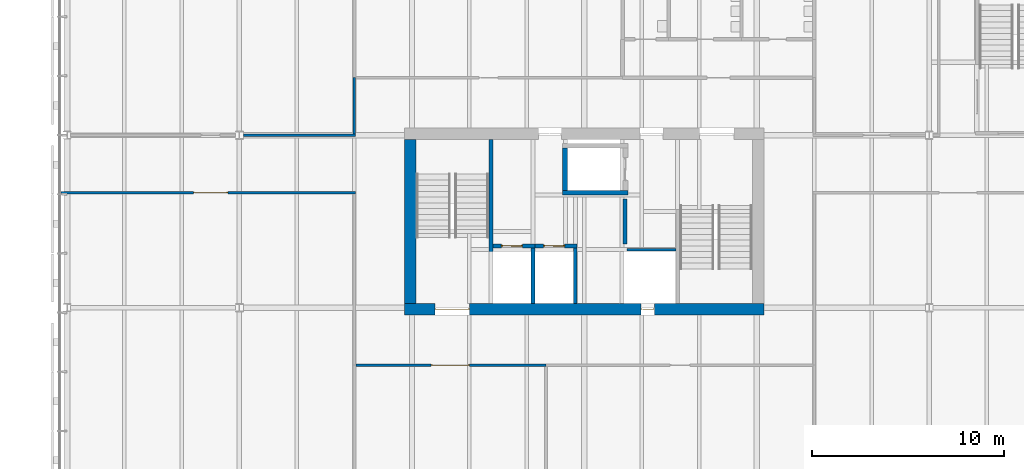
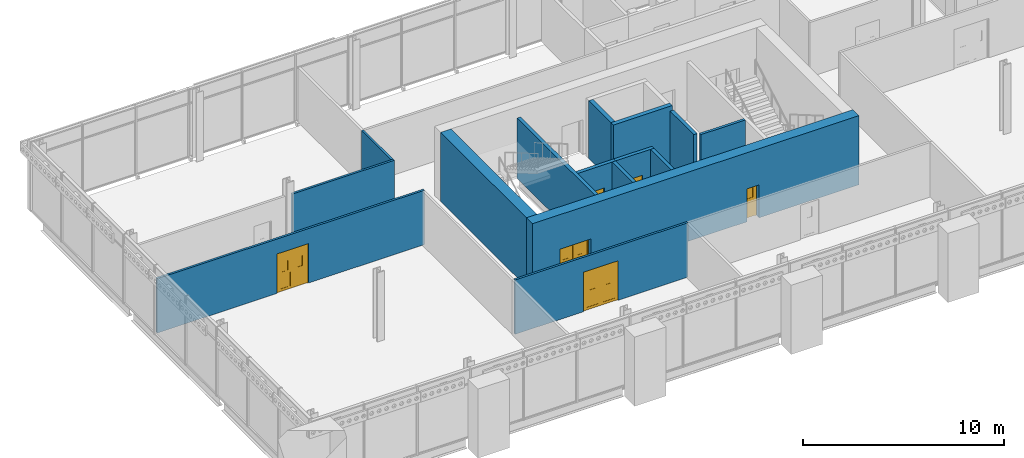
# One storey, part 68 of 123: 15 walls, 6 doors, 6 openings.
"""IFC4 building model written with IfcOpenShell, lengths in metres."""

from ifc_helpers import new_model, si_unit, direction, frame, frame_2d, origin, place, context, subcontext, project, spatial, polyline, rectangle, outline, extrude, material, layer, layer_set, type_object, element, fill, save


model = new_model("IFC4")

# Units and contexts
model_context = context("Model", 3, precision=1e-05, world=origin(), true_north=direction((0.0, 1.0)))
body_context = subcontext(model_context, "Body", "Model", "MODEL_VIEW")
ifc_project = project(units=[si_unit("LENGTHUNIT", "METRE"), si_unit("AREAUNIT", "SQUARE_METRE"), si_unit("VOLUMEUNIT", "CUBIC_METRE"), si_unit("PLANEANGLEUNIT", "RADIAN"), si_unit("MASSUNIT", "GRAM", prefix="KILO")], contexts=[model_context])

# Site, building, storey
site_placement = place(None, origin())
site = spatial("IfcSite", under=ifc_project, at=site_placement, CompositionType="ELEMENT")
building_placement = place(site_placement, origin())
building = spatial("IfcBuilding", under=site, at=building_placement, Name="Baradari Gate Terminus", CompositionType="ELEMENT")
storey_placement = place(building_placement, frame((0.0, 0.0, 7.5)))
storey = spatial("IfcBuildingStorey", under=building, at=storey_placement, Name="L01", CompositionType="ELEMENT", Elevation=7.5)

# Wall, opening, door
ifc_material_1 = material(Name="Gypsum board")
ifc_layer_1 = layer(ifc_material_1, 0.125)
ifc_layer_set_1 = layer_set([ifc_layer_1], Name="Gypsum board")
wall_type_1 = type_object("IfcWallType", Name="Corridor partition PT-5 125 EI 30", PredefinedType="PARTITIONING", material=ifc_layer_set_1)
wall_1_placement = place(storey_placement, frame((34.0, 123.0, 0.0), z_axis=(0.0, 0.0, 1.0), x_axis=(-1.0, 0.0, 0.0)))
wall_1 = element("IfcWall", 1, at=wall_1_placement, inside=storey, type_object=wall_type_1, Name="PT-5 partition Corridor / Staff Mess", PredefinedType="PARTITIONING", context=body_context, shape_type="SweptSolid", body=[
    extrude(rectangle(XDim=9.925048828125, YDim=0.125, at=frame_2d((4.96240234375, 0.0))), origin(), (0.0, 0.0, 1.0), 3.306884765625),
])
opening_1_placement = place(wall_1_placement, frame((4.0, 0.0, 0.0)))
opening_1 = element("IfcOpeningElement", 2, at=opening_1_placement, cuts=wall_1, Name="Opening D01-033", PredefinedType="OPENING", context=body_context, shape_type="SweptSolid", body=[
    extrude(rectangle(XDim=2.0, YDim=2.39990234375, at=frame_2d((1.0, 1.199951171875))), frame((0.0, 0.072509765625, 0.0), z_axis=(0.0, -1.0, 0.0), x_axis=(1.0, 0.0, 0.0)), (0.0, 0.0, 1.0), 0.14501953125),
])
ifc_material_2 = material(Name="Steel S275", Category="steel")
door_type_1 = type_object("IfcDoorType", Name="Fire door FI-2000x2400-FD30S 2000x2400 FD30S", OperationType="DOUBLE_DOOR_SINGLE_SWING", PredefinedType="DOOR", material=ifc_material_2)
door_1_placement = place(opening_1_placement, origin())
door_1 = element("IfcDoor", 3, at=door_1_placement, inside=storey, type_object=door_type_1, Name="Door Staff Mess", OperationType="DOUBLE_DOOR_SINGLE_SWING", OverallHeight=2.4, OverallWidth=2.0, PredefinedType="DOOR", context=body_context, shape_type="SweptSolid", body=[
    extrude(outline(polyline([(0.0, 0.0), (0.070068359375, 0.0), (0.070068359375, 2.329833984375), (1.929931640625, 2.329833984375), (1.929931640625, 0.0), (2.0, 0.0), (2.0, 2.39990234375), (0.0, 2.39990234375), (0.0, 0.0)])), frame((0.0, 0.02490234375, 0.0), z_axis=(0.0, -1.0, 0.0), x_axis=(1.0, 0.0, 0.0)), (0.0, 0.0, 1.0), 0.050048828125),
    extrude(outline(polyline([(0.073974609375, 0.010009765625), (0.9970703125, 0.010009765625), (0.9970703125, 2.325927734375), (0.073974609375, 2.325927734375), (0.073974609375, 0.010009765625)]), holes=[polyline([(0.194091796875, 0.159912109375), (0.876953125, 0.159912109375), (0.876953125, 1.010009765625), (0.194091796875, 1.010009765625), (0.194091796875, 0.159912109375)]), polyline([(0.385498046875, 1.159912109375), (0.685546875, 1.159912109375), (0.685546875, 1.760009765625), (0.385498046875, 1.760009765625), (0.385498046875, 1.159912109375)])]), frame((0.0, 0.017333984375, 0.0), z_axis=(0.0, -1.0, 0.0), x_axis=(1.0, 0.0, 0.0)), (0.0, 0.0, 1.0), 0.034912109375),
    extrude(rectangle(XDim=0.682861328125, YDim=0.85009765625, at=frame_2d((0.53564453125, 0.5849609375))), frame((0.0, 0.008544921875, 0.0), z_axis=(0.0, -1.0, 0.0), x_axis=(1.0, 0.0, 0.0)), (0.0, 0.0, 1.0), 0.017333984375),
    extrude(rectangle(XDim=0.300048828125, YDim=0.60009765625, at=frame_2d((0.53564453125, 1.4599609375))), frame((0.0, 0.005859375, 0.0), z_axis=(0.0, -1.0, 0.0), x_axis=(1.0, 0.0, 0.0)), (0.0, 0.0, 1.0), 0.011962890625),
    extrude(outline(polyline([(1.0029296875, 0.010009765625), (1.926025390625, 0.010009765625), (1.926025390625, 2.325927734375), (1.0029296875, 2.325927734375), (1.0029296875, 0.010009765625)]), holes=[polyline([(1.123046875, 0.159912109375), (1.805908203125, 0.159912109375), (1.805908203125, 1.010009765625), (1.123046875, 1.010009765625), (1.123046875, 0.159912109375)]), polyline([(1.314453125, 1.159912109375), (1.614501953125, 1.159912109375), (1.614501953125, 1.760009765625), (1.314453125, 1.760009765625), (1.314453125, 1.159912109375)])]), frame((0.0, 0.017333984375, 0.0), z_axis=(0.0, -1.0, 0.0), x_axis=(1.0, 0.0, 0.0)), (0.0, 0.0, 1.0), 0.034912109375),
    extrude(rectangle(XDim=0.682861328125, YDim=0.85009765625, at=frame_2d((1.46435546875, 0.5849609375))), frame((0.0, 0.008544921875, 0.0), z_axis=(0.0, -1.0, 0.0), x_axis=(1.0, 0.0, 0.0)), (0.0, 0.0, 1.0), 0.017333984375),
    extrude(rectangle(XDim=0.300048828125, YDim=0.60009765625, at=frame_2d((1.46435546875, 1.4599609375))), frame((0.0, 0.005859375, 0.0), z_axis=(0.0, -1.0, 0.0), x_axis=(1.0, 0.0, 0.0)), (0.0, 0.0, 1.0), 0.011962890625),
])
fill(opening_1, door_1)

wall_2_placement = place(storey_placement, frame((24.0625, 132.0, 0.0), z_axis=(0.0, 0.0, 1.0), x_axis=(-1.0, 0.0, 0.0)))
wall_2 = element("IfcWall", 4, at=wall_2_placement, inside=storey, type_object=wall_type_1, Name="PT-5 partition Corridor / Staff Training Room", PredefinedType="PARTITIONING", context=body_context, shape_type="SweptSolid", body=[
    extrude(rectangle(XDim=15.362548828125, YDim=0.125, at=frame_2d((7.68115234375, 0.0))), origin(), (0.0, 0.0, 1.0), 3.306884765625),
])
opening_2_placement = place(wall_2_placement, frame((6.66259765625, 0.0, 0.0)))
opening_2 = element("IfcOpeningElement", 5, at=opening_2_placement, cuts=wall_2, Name="Opening D01-028", PredefinedType="OPENING", context=body_context, shape_type="SweptSolid", body=[
    extrude(rectangle(XDim=1.800048828125, YDim=2.39990234375, at=frame_2d((0.89990234375, 1.199951171875))), frame((0.0, 0.072509765625, 0.0), z_axis=(0.0, -1.0, 0.0), x_axis=(1.0, 0.0, 0.0)), (0.0, 0.0, 1.0), 0.14501953125),
])
ifc_material_3 = material(Name="Steel S275", Category="steel")
door_type_2 = type_object("IfcDoorType", Name="Fire door FI-1800x2400-FD30S 1800x2400 FD30S", OperationType="DOUBLE_DOOR_SINGLE_SWING", PredefinedType="DOOR", material=ifc_material_3)
door_2_placement = place(opening_2_placement, origin())
door_2 = element("IfcDoor", 6, at=door_2_placement, inside=storey, type_object=door_type_2, Name="Door Staff Training Room", OperationType="DOUBLE_DOOR_SINGLE_SWING", OverallHeight=2.4, OverallWidth=1.8, PredefinedType="DOOR", context=body_context, shape_type="SweptSolid", body=[
    extrude(outline(polyline([(0.0, 0.0), (0.070068359375, 0.0), (0.070068359375, 2.329833984375), (1.72998046875, 2.329833984375), (1.72998046875, 0.0), (1.800048828125, 0.0), (1.800048828125, 2.39990234375), (0.0, 2.39990234375), (0.0, 0.0)])), frame((0.0, 0.02490234375, 0.0), z_axis=(0.0, -1.0, 0.0), x_axis=(1.0, 0.0, 0.0)), (0.0, 0.0, 1.0), 0.050048828125),
    extrude(outline(polyline([(0.073974609375, 0.010009765625), (0.89697265625, 0.010009765625), (0.89697265625, 2.325927734375), (0.073974609375, 2.325927734375), (0.073974609375, 0.010009765625)]), holes=[polyline([(0.194091796875, 0.159912109375), (0.77685546875, 0.159912109375), (0.77685546875, 1.010009765625), (0.194091796875, 1.010009765625), (0.194091796875, 0.159912109375)]), polyline([(0.33544921875, 1.159912109375), (0.635498046875, 1.159912109375), (0.635498046875, 1.760009765625), (0.33544921875, 1.760009765625), (0.33544921875, 1.159912109375)])]), frame((0.0, 0.017333984375, 0.0), z_axis=(0.0, -1.0, 0.0), x_axis=(1.0, 0.0, 0.0)), (0.0, 0.0, 1.0), 0.034912109375),
    extrude(rectangle(XDim=0.582763671875, YDim=0.85009765625, at=frame_2d((0.4853515625, 0.5849609375))), frame((0.0, 0.008544921875, 0.0), z_axis=(0.0, -1.0, 0.0), x_axis=(1.0, 0.0, 0.0)), (0.0, 0.0, 1.0), 0.017333984375),
    extrude(rectangle(XDim=0.300048828125, YDim=0.60009765625, at=frame_2d((0.4853515625, 1.4599609375))), frame((0.0, 0.005859375, 0.0), z_axis=(0.0, -1.0, 0.0), x_axis=(1.0, 0.0, 0.0)), (0.0, 0.0, 1.0), 0.011962890625),
    extrude(outline(polyline([(0.903076171875, 0.010009765625), (1.72607421875, 0.010009765625), (1.72607421875, 2.325927734375), (0.903076171875, 2.325927734375), (0.903076171875, 0.010009765625)]), holes=[polyline([(1.023193359375, 0.159912109375), (1.60595703125, 0.159912109375), (1.60595703125, 1.010009765625), (1.023193359375, 1.010009765625), (1.023193359375, 0.159912109375)]), polyline([(1.16455078125, 1.159912109375), (1.464599609375, 1.159912109375), (1.464599609375, 1.760009765625), (1.16455078125, 1.760009765625), (1.16455078125, 1.159912109375)])]), frame((0.0, 0.017333984375, 0.0), z_axis=(0.0, -1.0, 0.0), x_axis=(1.0, 0.0, 0.0)), (0.0, 0.0, 1.0), 0.034912109375),
    extrude(rectangle(XDim=0.582763671875, YDim=0.85009765625, at=frame_2d((1.314453125, 0.5849609375))), frame((0.0, 0.008544921875, 0.0), z_axis=(0.0, -1.0, 0.0), x_axis=(1.0, 0.0, 0.0)), (0.0, 0.0, 1.0), 0.017333984375),
    extrude(rectangle(XDim=0.300048828125, YDim=0.60009765625, at=frame_2d((1.314453125, 1.4599609375))), frame((0.0, 0.005859375, 0.0), z_axis=(0.0, -1.0, 0.0), x_axis=(1.0, 0.0, 0.0)), (0.0, 0.0, 1.0), 0.011962890625),
])
fill(opening_2, door_2)

# Walls
wall_3_placement = place(storey_placement, frame((18.2060546875, 135.0, 0.0), z_axis=(0.0, 0.0, 1.0), x_axis=(1.0, 0.0, 0.0)))
element("IfcWall", 7, at=wall_3_placement, inside=storey, type_object=wall_type_1, Name="PT-5 partition Corridor / Welfare Office", PredefinedType="PARTITIONING", context=body_context, shape_type="SweptSolid", body=[
    extrude(rectangle(XDim=5.8564453125, YDim=0.125, at=frame_2d((2.92822265625, 0.0))), origin(), (0.0, 0.0, 1.0), 3.306884765625),
])
wall_4_placement = place(storey_placement, frame((24.0, 135.0625, 0.0), z_axis=(0.0, 0.0, 1.0), x_axis=(0.0, 1.0, 0.0)))
element("IfcWall", 8, at=wall_4_placement, inside=storey, type_object=wall_type_1, Name="PT-5 partition Corridor / Welfare Office", PredefinedType="PARTITIONING", context=body_context, shape_type="SweptSolid", body=[
    extrude(rectangle(XDim=2.9375, YDim=0.125, at=frame_2d((1.46875, 0.0))), origin(), (0.0, 0.0, 1.0), 3.306884765625),
])
ifc_material_4 = material(Name="Concrete C32/40", Category="concrete")
ifc_layer_2 = layer(ifc_material_4, 0.25)
ifc_layer_set_2 = layer_set([ifc_layer_2], Name="Concrete C32/40")
wall_type_2 = type_object("IfcWallType", Name="Firefighting lift shaft wall SH-2 250 EI 120", PredefinedType="SOLIDWALL", material=ifc_layer_set_2)
wall_5_placement = place(storey_placement, frame((34.875, 132.0, 0.0), z_axis=(0.0, 0.0, 1.0), x_axis=(1.0, 0.0, 0.0)))
element("IfcWall", 9, at=wall_5_placement, inside=storey, type_object=wall_type_2, Name="Lift shaft wall LT3 L01 S", PredefinedType="SOLIDWALL", context=body_context, shape_type="SweptSolid", body=[
    extrude(rectangle(XDim=3.39990234375, YDim=0.25, at=frame_2d((1.699951171875, 0.0))), origin(), (0.0, 0.0, 1.0), 3.51611328125),
])
wall_6_placement = place(storey_placement, frame((35.0, 132.125, 0.0), z_axis=(0.0, 0.0, 1.0), x_axis=(0.0, 1.0, 0.0)))
element("IfcWall", 10, at=wall_6_placement, inside=storey, type_object=wall_type_2, Name="Lift shaft wall LT3 L01 W", PredefinedType="SOLIDWALL", context=body_context, shape_type="SweptSolid", body=[
    extrude(rectangle(XDim=2.199951171875, YDim=0.25, at=frame_2d((1.10009765625, 0.0))), origin(), (0.0, 0.0, 1.0), 3.51611328125),
])

# Wall, opening, door
ifc_material_5 = material(Name="Blockwork wall, fire rated", Category="masonry")
ifc_layer_3 = layer(ifc_material_5, 0.199951171875)
ifc_layer_set_3 = layer_set([ifc_layer_3], Name="Blockwork wall, fire rated")
wall_type_3 = type_object("IfcWallType", Name="Lift shaft wall SH-1 200 EI 120", PredefinedType="SOLIDWALL", material=ifc_layer_set_3)
wall_7_placement = place(storey_placement, frame((31.22705078125, 129.22509765625, 0.0), z_axis=(0.0, 0.0, 1.0), x_axis=(1.0, 0.0, 0.0)))
wall_7 = element("IfcWall", 11, at=wall_7_placement, inside=storey, type_object=wall_type_3, Name="Lift shaft wall LT1 L01 N", PredefinedType="SOLIDWALL", context=body_context, shape_type="SweptSolid", body=[
    extrude(rectangle(XDim=2.197998046875, YDim=0.199951171875, at=frame_2d((1.09912109375, 0.0))), origin(), (0.0, 0.0, 1.0), 3.51611328125),
])
opening_3_placement = place(wall_7_placement, frame((0.447998046875, 0.0, 0.0)))
opening_3 = element("IfcOpeningElement", 12, at=opening_3_placement, cuts=wall_7, Name="Opening D01-014", PredefinedType="OPENING", context=body_context, shape_type="SweptSolid", body=[
    extrude(rectangle(XDim=1.10009765625, YDim=2.10009765625, at=frame_2d((0.550048828125, 1.050048828125))), frame((0.0, 0.10986328125, 0.0), z_axis=(0.0, -1.0, 0.0), x_axis=(1.0, 0.0, 0.0)), (0.0, 0.0, 1.0), 0.219970703125),
])
ifc_material_6 = material(Name="Stainless steel 1.4301", Category="steel")
door_type_3 = type_object("IfcDoorType", Name="Lift landing door LD 1100x2100 E 120", OperationType="SLIDING_TO_LEFT", PredefinedType="DOOR", material=ifc_material_6)
door_3_placement = place(opening_3_placement, origin())
door_3 = element("IfcDoor", 13, at=door_3_placement, inside=storey, type_object=door_type_3, Name="Lift landing door LT1 L01", OperationType="SLIDING_TO_LEFT", OverallHeight=2.1, OverallWidth=1.1, PredefinedType="DOOR", context=body_context, shape_type="SweptSolid", body=[
    extrude(outline(polyline([(0.0, 0.0), (0.070068359375, 0.0), (0.070068359375, 2.030029296875), (1.030029296875, 2.030029296875), (1.030029296875, 0.0), (1.10009765625, 0.0), (1.10009765625, 2.10009765625), (0.0, 2.10009765625), (0.0, 0.0)])), frame((0.0, 0.02490234375, 0.0), z_axis=(0.0, -1.0, 0.0), x_axis=(1.0, 0.0, 0.0)), (0.0, 0.0, 1.0), 0.050048828125),
    extrude(rectangle(XDim=0.523681640625, YDim=2.01611328125, at=frame_2d((0.3359375, 1.01806640625))), frame((0.0, 0.017822265625, 0.0), z_axis=(0.0, -1.0, 0.0), x_axis=(1.0, 0.0, 0.0)), (0.0, 0.0, 1.0), 0.015869140625),
    extrude(rectangle(XDim=0.519775390625, YDim=2.01611328125, at=frame_2d((0.76611328125, 1.01806640625))), frame((0.0, -0.002197265625, 0.0), z_axis=(0.0, -1.0, 0.0), x_axis=(1.0, 0.0, 0.0)), (0.0, 0.0, 1.0), 0.015869140625),
])
fill(opening_3, door_3)

# Wall
wall_8_placement = place(storey_placement, frame((33.324951171875, 126.22705078125, 0.0), z_axis=(0.0, 0.0, 1.0), x_axis=(0.0, 1.0, 0.0)))
element("IfcWall", 14, at=wall_8_placement, inside=storey, type_object=wall_type_3, Name="Lift shaft wall LT1 L01 E", PredefinedType="SOLIDWALL", context=body_context, shape_type="SweptSolid", body=[
    extrude(rectangle(XDim=2.89794921875, YDim=0.199951171875, at=frame_2d((1.448974609375, 0.0))), origin(), (0.0, 0.0, 1.0), 3.51611328125),
])

# Wall, opening, door
wall_9_placement = place(storey_placement, frame((33.427001953125, 129.22509765625, 0.0), z_axis=(0.0, 0.0, 1.0), x_axis=(1.0, 0.0, 0.0)))
wall_9 = element("IfcWall", 15, at=wall_9_placement, inside=storey, type_object=wall_type_3, Name="Lift shaft wall LT2 L01 N", PredefinedType="SOLIDWALL", context=body_context, shape_type="SweptSolid", body=[
    extrude(rectangle(XDim=2.197998046875, YDim=0.199951171875, at=frame_2d((1.09912109375, 0.0))), origin(), (0.0, 0.0, 1.0), 3.51611328125),
])
opening_4_placement = place(wall_9_placement, frame((0.447998046875, 0.0, 0.0)))
opening_4 = element("IfcOpeningElement", 16, at=opening_4_placement, cuts=wall_9, Name="Opening D01-015", PredefinedType="OPENING", context=body_context, shape_type="SweptSolid", body=[
    extrude(rectangle(XDim=1.10009765625, YDim=2.10009765625, at=frame_2d((0.550048828125, 1.050048828125))), frame((0.0, 0.10986328125, 0.0), z_axis=(0.0, -1.0, 0.0), x_axis=(1.0, 0.0, 0.0)), (0.0, 0.0, 1.0), 0.219970703125),
])
door_4_placement = place(opening_4_placement, origin())
door_4 = element("IfcDoor", 17, at=door_4_placement, inside=storey, type_object=door_type_3, Name="Lift landing door LT2 L01", OperationType="SLIDING_TO_LEFT", OverallHeight=2.1, OverallWidth=1.1, PredefinedType="DOOR", context=body_context, shape_type="SweptSolid", body=[
    extrude(outline(polyline([(0.0, 0.0), (0.070068359375, 0.0), (0.070068359375, 2.030029296875), (1.030029296875, 2.030029296875), (1.030029296875, 0.0), (1.10009765625, 0.0), (1.10009765625, 2.10009765625), (0.0, 2.10009765625), (0.0, 0.0)])), frame((0.0, 0.02490234375, 0.0), z_axis=(0.0, -1.0, 0.0), x_axis=(1.0, 0.0, 0.0)), (0.0, 0.0, 1.0), 0.050048828125),
    extrude(rectangle(XDim=0.523681640625, YDim=2.01611328125, at=frame_2d((0.3359375, 1.01806640625))), frame((0.0, 0.017822265625, 0.0), z_axis=(0.0, -1.0, 0.0), x_axis=(1.0, 0.0, 0.0)), (0.0, 0.0, 1.0), 0.015869140625),
    extrude(rectangle(XDim=0.519775390625, YDim=2.01611328125, at=frame_2d((0.76611328125, 1.01806640625))), frame((0.0, -0.002197265625, 0.0), z_axis=(0.0, -1.0, 0.0), x_axis=(1.0, 0.0, 0.0)), (0.0, 0.0, 1.0), 0.015869140625),
])
fill(opening_4, door_4)

# Walls
wall_10_placement = place(storey_placement, frame((35.52490234375, 126.22705078125, 0.0), z_axis=(0.0, 0.0, 1.0), x_axis=(0.0, 1.0, 0.0)))
element("IfcWall", 18, at=wall_10_placement, inside=storey, type_object=wall_type_3, Name="Lift shaft wall LT2 L01 E", PredefinedType="SOLIDWALL", context=body_context, shape_type="SweptSolid", body=[
    extrude(rectangle(XDim=2.89794921875, YDim=0.199951171875, at=frame_2d((1.448974609375, 0.0))), origin(), (0.0, 0.0, 1.0), 3.51611328125),
])
ifc_material_7 = material(Name="Blockwork wall, plastered, fire rated", Category="masonry")
ifc_layer_4 = layer(ifc_material_7, 0.199951171875)
ifc_layer_set_4 = layer_set([ifc_layer_4], Name="Blockwork wall, plastered, fire rated")
wall_type_4 = type_object("IfcWallType", Name="Lobby partition PT-4 200 EI 60", PredefinedType="PARTITIONING", material=ifc_layer_set_4)
wall_11_placement = place(storey_placement, frame((38.125, 131.675048828125, 0.0), z_axis=(0.0, 0.0, 1.0), x_axis=(0.0, -1.0, 0.0)))
element("IfcWall", 19, at=wall_11_placement, inside=storey, type_object=wall_type_4, Name="PT-4 partition Lift Lobby / Lift Lobby (Fire-fighting)", PredefinedType="PARTITIONING", context=body_context, shape_type="SweptSolid", body=[
    extrude(rectangle(XDim=2.35009765625, YDim=0.199951171875, at=frame_2d((1.175048828125, 0.0))), origin(), (0.0, 0.0, 1.0), 3.382080078125),
])

# Wall, openings, doors
ifc_material_8 = material(Name="Concrete C40/50", Category="concrete")
ifc_layer_5 = layer(ifc_material_8, 0.60009765625)
ifc_layer_set_5 = layer_set([ifc_layer_5], Name="Concrete C40/50")
wall_type_5 = type_object("IfcWallType", Name="Operations block core wall CWL01 600", PredefinedType="SOLIDWALL", material=ifc_layer_set_5)
wall_12_placement = place(storey_placement, frame((26.625, 125.925048828125, 0.0), z_axis=(0.0, 0.0, 1.0), x_axis=(1.0, 0.0, 0.0)))
wall_12 = element("IfcWall", 20, at=wall_12_placement, inside=storey, type_object=wall_type_5, Name="Operations block core wall CT S L01", PredefinedType="SOLIDWALL", context=body_context, shape_type="SweptSolid", body=[
    extrude(rectangle(XDim=18.75, YDim=0.60009765625, at=frame_2d((9.375, 0.0))), origin(), (0.0, 0.0, 1.0), 4.199951171875),
])
opening_5_placement = place(wall_12_placement, frame((1.574951171875, 0.0, 0.0)))
opening_5 = element("IfcOpeningElement", 21, at=opening_5_placement, cuts=wall_12, Name="Opening D01-017", PredefinedType="OPENING", context=body_context, shape_type="SweptSolid", body=[
    extrude(rectangle(XDim=1.800048828125, YDim=2.10009765625, at=frame_2d((0.89990234375, 1.050048828125))), frame((0.0, 0.31005859375, 0.0), z_axis=(0.0, -1.0, 0.0), x_axis=(1.0, 0.0, 0.0)), (0.0, 0.0, 1.0), 0.6201171875),
])
opening_6_placement = place(wall_12_placement, frame((12.324951171875, 0.0, 0.0)))
opening_6 = element("IfcOpeningElement", 22, at=opening_6_placement, cuts=wall_12, Name="Opening D01-021", PredefinedType="OPENING", context=body_context, shape_type="SweptSolid", body=[
    extrude(rectangle(XDim=0.699951171875, YDim=2.0, at=frame_2d((0.35009765625, 1.0))), frame((0.0, 0.31005859375, 0.0), z_axis=(0.0, -1.0, 0.0), x_axis=(1.0, 0.0, 0.0)), (0.0, 0.0, 1.0), 0.6201171875),
])
ifc_material_9 = material(Name="Steel S275", Category="steel")
door_type_4 = type_object("IfcDoorType", Name="Fire door FI-1800-FD90S 1800x2100 FD90S", OperationType="DOUBLE_DOOR_SINGLE_SWING", PredefinedType="DOOR", material=ifc_material_9)
door_5_placement = place(opening_5_placement, origin())
door_5 = element("IfcDoor", 23, at=door_5_placement, inside=storey, type_object=door_type_4, Name="Door Stair (Core) 1", OperationType="DOUBLE_DOOR_SINGLE_SWING", OverallHeight=2.1, OverallWidth=1.8, PredefinedType="DOOR", context=body_context, shape_type="SweptSolid", body=[
    extrude(outline(polyline([(0.0, 0.0), (0.070068359375, 0.0), (0.070068359375, 2.030029296875), (1.72998046875, 2.030029296875), (1.72998046875, 0.0), (1.800048828125, 0.0), (1.800048828125, 2.10009765625), (0.0, 2.10009765625), (0.0, 0.0)])), frame((0.0, 0.02490234375, 0.0), z_axis=(0.0, -1.0, 0.0), x_axis=(1.0, 0.0, 0.0)), (0.0, 0.0, 1.0), 0.050048828125),
    extrude(outline(polyline([(0.073974609375, 0.010009765625), (0.89697265625, 0.010009765625), (0.89697265625, 2.026123046875), (0.073974609375, 2.026123046875), (0.073974609375, 0.010009765625)]), holes=[polyline([(0.194091796875, 0.159912109375), (0.77685546875, 0.159912109375), (0.77685546875, 1.010009765625), (0.194091796875, 1.010009765625), (0.194091796875, 0.159912109375)]), polyline([(0.33544921875, 1.159912109375), (0.635498046875, 1.159912109375), (0.635498046875, 1.760009765625), (0.33544921875, 1.760009765625), (0.33544921875, 1.159912109375)])]), frame((0.0, 0.017333984375, 0.0), z_axis=(0.0, -1.0, 0.0), x_axis=(1.0, 0.0, 0.0)), (0.0, 0.0, 1.0), 0.034912109375),
    extrude(rectangle(XDim=0.582763671875, YDim=0.85009765625, at=frame_2d((0.4853515625, 0.5849609375))), frame((0.0, 0.008544921875, 0.0), z_axis=(0.0, -1.0, 0.0), x_axis=(1.0, 0.0, 0.0)), (0.0, 0.0, 1.0), 0.017333984375),
    extrude(rectangle(XDim=0.300048828125, YDim=0.60009765625, at=frame_2d((0.4853515625, 1.4599609375))), frame((0.0, 0.005859375, 0.0), z_axis=(0.0, -1.0, 0.0), x_axis=(1.0, 0.0, 0.0)), (0.0, 0.0, 1.0), 0.011962890625),
    extrude(outline(polyline([(0.903076171875, 0.010009765625), (1.72607421875, 0.010009765625), (1.72607421875, 2.026123046875), (0.903076171875, 2.026123046875), (0.903076171875, 0.010009765625)]), holes=[polyline([(1.023193359375, 0.159912109375), (1.60595703125, 0.159912109375), (1.60595703125, 1.010009765625), (1.023193359375, 1.010009765625), (1.023193359375, 0.159912109375)]), polyline([(1.16455078125, 1.159912109375), (1.464599609375, 1.159912109375), (1.464599609375, 1.760009765625), (1.16455078125, 1.760009765625), (1.16455078125, 1.159912109375)])]), frame((0.0, 0.017333984375, 0.0), z_axis=(0.0, -1.0, 0.0), x_axis=(1.0, 0.0, 0.0)), (0.0, 0.0, 1.0), 0.034912109375),
    extrude(rectangle(XDim=0.582763671875, YDim=0.85009765625, at=frame_2d((1.314453125, 0.5849609375))), frame((0.0, 0.008544921875, 0.0), z_axis=(0.0, -1.0, 0.0), x_axis=(1.0, 0.0, 0.0)), (0.0, 0.0, 1.0), 0.017333984375),
    extrude(rectangle(XDim=0.300048828125, YDim=0.60009765625, at=frame_2d((1.314453125, 1.4599609375))), frame((0.0, 0.005859375, 0.0), z_axis=(0.0, -1.0, 0.0), x_axis=(1.0, 0.0, 0.0)), (0.0, 0.0, 1.0), 0.011962890625),
])
fill(opening_5, door_5)
ifc_material_10 = material(Name="Steel S275", Category="steel")
door_type_5 = type_object("IfcDoorType", Name="Fire door FI-700x2000-FD90S 700x2000 FD90S", OperationType="SINGLE_SWING_LEFT", PredefinedType="DOOR", material=ifc_material_10)
door_6_placement = place(opening_6_placement, origin())
door_6 = element("IfcDoor", 24, at=door_6_placement, inside=storey, type_object=door_type_5, Name="Door Riser", OperationType="SINGLE_SWING_RIGHT", OverallHeight=2.0, OverallWidth=0.7, PredefinedType="DOOR", context=body_context, shape_type="SweptSolid", body=[
    extrude(outline(polyline([(0.0, 0.0), (0.070068359375, 0.0), (0.070068359375, 1.929931640625), (0.6298828125, 1.929931640625), (0.6298828125, 0.0), (0.699951171875, 0.0), (0.699951171875, 2.0), (0.0, 2.0), (0.0, 0.0)])), frame((0.0, 0.02490234375, 0.0), z_axis=(0.0, -1.0, 0.0), x_axis=(1.0, 0.0, 0.0)), (0.0, 0.0, 1.0), 0.050048828125),
    extrude(outline(polyline([(0.073974609375, 0.010009765625), (0.6259765625, 0.010009765625), (0.6259765625, 1.926025390625), (0.073974609375, 1.926025390625), (0.073974609375, 0.010009765625)]), holes=[polyline([(0.184326171875, 0.159912109375), (0.515625, 0.159912109375), (0.515625, 1.010009765625), (0.184326171875, 1.010009765625), (0.184326171875, 0.159912109375)]), polyline([(0.199951171875, 1.159912109375), (0.5, 1.159912109375), (0.5, 1.760009765625), (0.199951171875, 1.760009765625), (0.199951171875, 1.159912109375)])]), frame((0.0, 0.017333984375, 0.0), z_axis=(0.0, -1.0, 0.0), x_axis=(1.0, 0.0, 0.0)), (0.0, 0.0, 1.0), 0.034912109375),
    extrude(rectangle(XDim=0.331298828125, YDim=0.85009765625, at=frame_2d((0.35009765625, 0.5849609375))), frame((0.0, 0.008544921875, 0.0), z_axis=(0.0, -1.0, 0.0), x_axis=(1.0, 0.0, 0.0)), (0.0, 0.0, 1.0), 0.017333984375),
    extrude(rectangle(XDim=0.300048828125, YDim=0.60009765625, at=frame_2d((0.35009765625, 1.4599609375))), frame((0.0, 0.005859375, 0.0), z_axis=(0.0, -1.0, 0.0), x_axis=(1.0, 0.0, 0.0)), (0.0, 0.0, 1.0), 0.011962890625),
])
fill(opening_6, door_6)

# Walls
wall_13_placement = place(storey_placement, frame((26.925048828125, 126.22509765625, 0.0), z_axis=(0.0, 0.0, 1.0), x_axis=(0.0, 1.0, 0.0)))
element("IfcWall", 25, at=wall_13_placement, inside=storey, type_object=wall_type_5, Name="Operations block core wall CT W L01", PredefinedType="SOLIDWALL", context=body_context, shape_type="SweptSolid", body=[
    extrude(rectangle(XDim=8.5498046875, YDim=0.60009765625, at=frame_2d((4.27490234375, 0.0))), origin(), (0.0, 0.0, 1.0), 4.199951171875),
])
ifc_material_11 = material(Name="Blockwork wall, fire rated", Category="masonry")
ifc_layer_6 = layer(ifc_material_11, 0.14990234375)
ifc_layer_set_6 = layer_set([ifc_layer_6], Name="Blockwork wall, fire rated")
wall_type_6 = type_object("IfcWallType", Name="Riser wall RW-1 150 EI 120", PredefinedType="SOLIDWALL", material=ifc_layer_set_6)
wall_14_placement = place(storey_placement, frame((40.77294921875, 129.02490234375, 0.0), z_axis=(0.0, 0.0, 1.0), x_axis=(-1.0, 0.0, 0.0)))
element("IfcWall", 26, at=wall_14_placement, inside=storey, type_object=wall_type_6, Name="RW-1 partition Lift Lobby (Fire-fighting) / Riser", PredefinedType="SOLIDWALL", context=body_context, shape_type="SweptSolid", body=[
    extrude(rectangle(XDim=2.5478515625, YDim=0.14990234375, at=frame_2d((1.27392578125, 0.0))), origin(), (0.0, 0.0, 1.0), 3.535888671875),
])
ifc_material_12 = material(Name="Concrete C40/50", Category="concrete")
ifc_layer_7 = layer(ifc_material_12, 0.199951171875)
ifc_layer_set_7 = layer_set([ifc_layer_7], Name="Concrete C40/50")
wall_type_7 = type_object("IfcWallType", Name="Stair enclosure wall SE-1 200 EI 120", PredefinedType="SOLIDWALL", material=ifc_layer_set_7)
wall_15_placement = place(storey_placement, frame((31.125, 126.22705078125, -0.1298828125), z_axis=(0.0, 0.0, 1.0), x_axis=(0.0, 1.0, 0.0)))
element("IfcWall", 27, at=wall_15_placement, inside=storey, type_object=wall_type_7, Name="Stair enclosure wall SE-1 ST-T1 L01 E", PredefinedType="SOLIDWALL", context=body_context, shape_type="SweptSolid", body=[
    extrude(rectangle(XDim=8.5458984375, YDim=0.199951171875, at=frame_2d((4.27294921875, 0.0))), origin(), (0.0, 0.0, 1.0), 3.665771484375),
])

save(model, "model.ifc")
